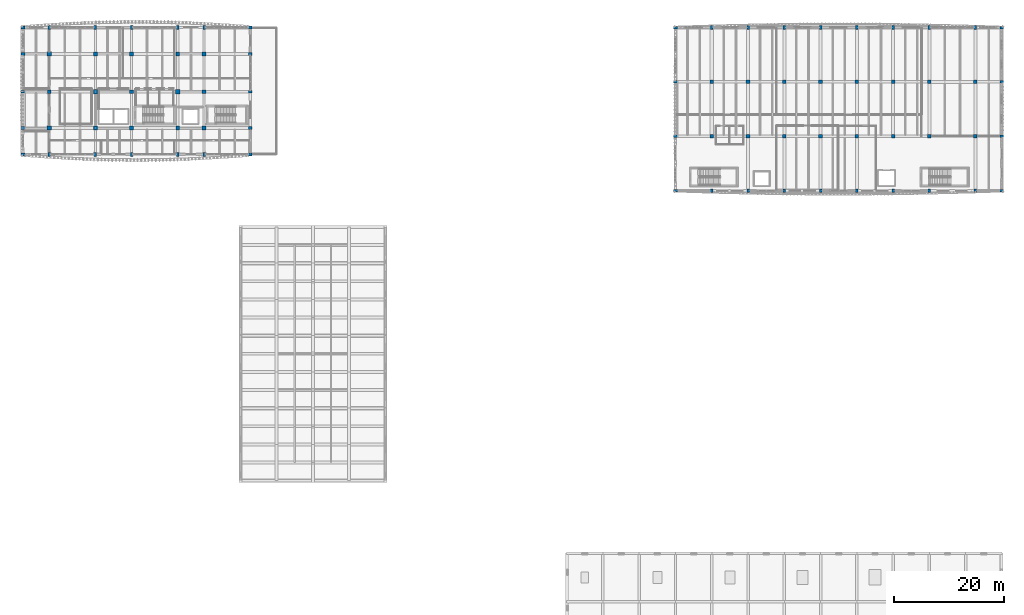
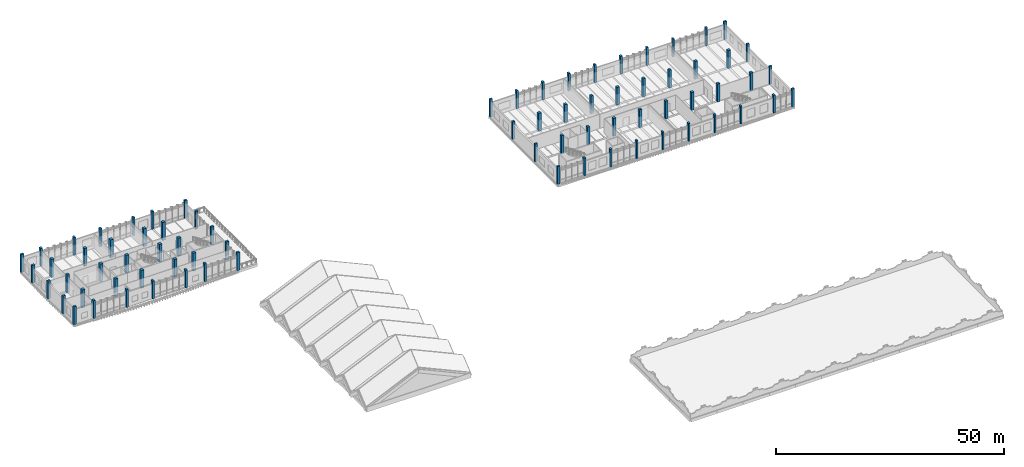
# One storey, part 1 of 50: 75 columns.
"""IFC4 building model written with IfcOpenShell, lengths in metres."""

from ifc_helpers import new_model, si_unit, direction, frame, origin, origin_2d, place, context, subcontext, project, spatial, rectangle, extrude, material, material_profile, profile_set, type_object, element, save


model = new_model("IFC4")

# Units and contexts
model_context = context("Model", 3, precision=1e-05, world=origin(), true_north=direction((0.0, 1.0)))
body_context = subcontext(model_context, "Body", "Model", "MODEL_VIEW")
ifc_project = project(units=[si_unit("LENGTHUNIT", "METRE"), si_unit("AREAUNIT", "SQUARE_METRE"), si_unit("VOLUMEUNIT", "CUBIC_METRE"), si_unit("PLANEANGLEUNIT", "RADIAN"), si_unit("MASSUNIT", "GRAM", prefix="KILO")], contexts=[model_context])

# Site, building, storey
site_placement = place(None, origin())
site = spatial("IfcSite", under=ifc_project, at=site_placement, CompositionType="ELEMENT")
building_placement = place(site_placement, origin())
building = spatial("IfcBuilding", under=site, at=building_placement, Name="Dornvale Research Institute", CompositionType="ELEMENT")
storey_placement = place(building_placement, frame((0.0, 0.0, 19.800048828125)))
storey = spatial("IfcBuildingStorey", under=building, at=storey_placement, Name="L04", CompositionType="ELEMENT", Elevation=19.800048828125)

# Columns
ifc_material_1 = material(Name="Concrete f'c 45 MPa (C35/45)", Category="concrete")
ifc_material_profile_1 = material_profile(ifc_material_1, rectangle(XDim=0.64990234375, YDim=0.64990234375, at=origin_2d()), Name="RC 650x650")
ifc_profile_set_1 = profile_set([ifc_material_profile_1], Name="Concrete f'c 45 MPa (C35/45)")
column_type_1 = type_object("IfcColumnType", Name="Column_RC650", PredefinedType="COLUMN", material=ifc_profile_set_1)
for number, where, z_axis, x_axis, name in (
    (1, (125.39990234375, 102.300048828125, 0.0), (0.0, 0.0, 1.0), (1.0, 0.0, 0.0), "L04 column #619"),
    (2, (125.39990234375, 112.199951171875, 0.0), (0.0, 0.0, 1.0), (1.0, 0.0, 0.0), "L04 column #620"),
    (3, (132.0, 102.300048828125, 0.0), (0.0, 0.0, 1.0), (1.0, 0.0, 0.0), "L04 column #623"),
    (4, (132.0, 112.199951171875, 0.0), (0.0, 0.0, 1.0), (1.0, 0.0, 0.0), "L04 column #624"),
    (5, (138.60009765625, 102.300048828125, 0.0), (0.0, 0.0, 1.0), (1.0, 0.0, 0.0), "L04 column #627"),
    (6, (138.60009765625, 112.199951171875, 0.0), (0.0, 0.0, 1.0), (1.0, 0.0, 0.0), "L04 column #628"),
    (7, (145.199951171875, 102.300048828125, 0.0), (0.0, 0.0, 1.0), (1.0, 0.0, 0.0), "L04 column #631"),
    (8, (145.199951171875, 112.199951171875, 0.0), (0.0, 0.0, 1.0), (1.0, 0.0, 0.0), "L04 column #632"),
    (9, (151.800048828125, 102.300048828125, 0.0), (0.0, 0.0, 1.0), (1.0, 0.0, 0.0), "L04 column #635"),
    (10, (151.800048828125, 112.199951171875, 0.0), (0.0, 0.0, 1.0), (1.0, 0.0, 0.0), "L04 column #636"),
    (11, (158.39990234375, 102.300048828125, 0.0), (0.0, 0.0, 1.0), (1.0, 0.0, 0.0), "L04 column #639"),
    (12, (158.39990234375, 112.199951171875, 0.0), (0.0, 0.0, 1.0), (1.0, 0.0, 0.0), "L04 column #640"),
    (13, (165.0, 102.300048828125, 0.0), (0.0, 0.0, 1.0), (1.0, 0.0, 0.0), "L04 column #643"),
    (14, (165.0, 112.199951171875, 0.0), (0.0, 0.0, 1.0), (1.0, 0.0, 0.0), "L04 column #644"),
    (15, (173.39990234375, 102.300048828125, 0.0), (0.0, 0.0, 1.0), (1.0, 0.0, 0.0), "L04 column #647"),
    (16, (173.39990234375, 112.199951171875, 0.0), (0.0, 0.0, 1.0), (1.0, 0.0, 0.0), "L04 column #648"),
):
    element("IfcColumn", number, at=place(storey_placement, frame(where, z_axis=z_axis, x_axis=x_axis)), inside=storey, type_object=column_type_1, Name=name, PredefinedType="COLUMN", context=body_context, shape_type="SweptSolid", body=[
        extrude(rectangle(XDim=0.64990234375, YDim=0.64990234375, at=origin_2d()), origin(), (0.0, 0.0, 1.0), 4.800048828125),
    ])
ifc_material_2 = material(Name="Concrete f'c 45 MPa (C35/45)", Category="concrete")
ifc_material_profile_2 = material_profile(ifc_material_2, rectangle(XDim=0.699951171875, YDim=0.699951171875, at=origin_2d()), Name="RC 700x700")
ifc_profile_set_2 = profile_set([ifc_material_profile_2], Name="Concrete f'c 45 MPa (C35/45)")
column_type_2 = type_object("IfcColumnType", Name="Column_RC700", PredefinedType="COLUMN", material=ifc_profile_set_2)
for number, where, z_axis, x_axis, name in (
    (17, (4.800048828125, 110.39990234375, 0.0), (0.0, 0.0, 1.0), (1.0, 0.0, 0.0), "L04 column #208"),
    (18, (13.199951171875, 103.800048828125, 0.0), (0.0, 0.0, 1.0), (1.0, 0.0, 0.0), "L04 column #212"),
    (19, (13.199951171875, 117.300048828125, 0.0), (0.0, 0.0, 1.0), (1.0, 0.0, 0.0), "L04 column #214"),
    (20, (19.800048828125, 110.39990234375, 0.0), (0.0, 0.0, 1.0), (1.0, 0.0, 0.0), "L04 column #218"),
    (21, (28.199951171875, 103.800048828125, 0.0), (0.0, 0.0, 1.0), (1.0, 0.0, 0.0), "L04 column #222"),
    (22, (28.199951171875, 117.300048828125, 0.0), (0.0, 0.0, 1.0), (1.0, 0.0, 0.0), "L04 column #224"),
    (23, (33.0, 110.39990234375, 0.0), (0.0, 0.0, 1.0), (1.0, 0.0, 0.0), "L04 column #228"),
):
    element("IfcColumn", number, at=place(storey_placement, frame(where, z_axis=z_axis, x_axis=x_axis)), inside=storey, type_object=column_type_2, Name=name, PredefinedType="COLUMN", context=body_context, shape_type="SweptSolid", body=[
        extrude(rectangle(XDim=0.699951171875, YDim=0.699951171875, at=origin_2d()), origin(), (0.0, 0.0, 1.0), 4.800048828125),
    ])
ifc_material_3 = material(Name="Concrete f'c 50 MPa (C40/50)", Category="concrete")
ifc_material_profile_3 = material_profile(ifc_material_3, rectangle(XDim=0.75, YDim=0.75, at=origin_2d()), Name="RC 750x750")
ifc_profile_set_3 = profile_set([ifc_material_profile_3], Name="Concrete f'c 50 MPa (C40/50)")
column_type_3 = type_object("IfcColumnType", Name="Column_RC750", PredefinedType="COLUMN", material=ifc_profile_set_3)
for number, where, z_axis, x_axis, name in (
    (24, (4.800048828125, 103.800048828125, 0.0), (0.0, 0.0, 1.0), (1.0, 0.0, 0.0), "L04 column #207"),
    (25, (4.800048828125, 117.300048828125, 0.0), (0.0, 0.0, 1.0), (1.0, 0.0, 0.0), "L04 column #209"),
    (26, (13.199951171875, 110.39990234375, 0.0), (0.0, 0.0, 1.0), (1.0, 0.0, 0.0), "L04 column #213"),
    (27, (19.800048828125, 103.800048828125, 0.0), (0.0, 0.0, 1.0), (1.0, 0.0, 0.0), "L04 column #217"),
    (28, (19.800048828125, 117.300048828125, 0.0), (0.0, 0.0, 1.0), (1.0, 0.0, 0.0), "L04 column #219"),
    (29, (28.199951171875, 110.39990234375, 0.0), (0.0, 0.0, 1.0), (1.0, 0.0, 0.0), "L04 column #223"),
    (30, (33.0, 103.800048828125, 0.0), (0.0, 0.0, 1.0), (1.0, 0.0, 0.0), "L04 column #227"),
    (31, (33.0, 117.300048828125, 0.0), (0.0, 0.0, 1.0), (1.0, 0.0, 0.0), "L04 column #229"),
):
    element("IfcColumn", number, at=place(storey_placement, frame(where, z_axis=z_axis, x_axis=x_axis)), inside=storey, type_object=column_type_3, Name=name, PredefinedType="COLUMN", context=body_context, shape_type="SweptSolid", body=[
        extrude(rectangle(XDim=0.75, YDim=0.75, at=origin_2d()), origin(), (0.0, 0.0, 1.0), 4.800048828125),
    ])
ifc_material_4 = material(Name="Concrete f'c 45 MPa (C35/45)", Category="concrete")
ifc_material_profile_4 = material_profile(ifc_material_4, rectangle(XDim=0.449951171875, YDim=0.64990234375, at=origin_2d()), Name="RC 450x650")
ifc_profile_set_4 = profile_set([ifc_material_profile_4], Name="Concrete f'c 45 MPa (C35/45)")
column_type_4 = type_object("IfcColumnType", Name="Pilaster_RC450x650_Ext", PredefinedType="PILASTER", material=ifc_profile_set_4)
for number, where, z_axis, x_axis, name in (
    (32, (118.800048828125, 92.39990234375, 0.0), (0.0, 0.0, 1.0), (0.0, 1.0, 0.0), "L04 column #614"),
    (33, (118.800048828125, 102.300048828125, 0.0), (0.0, 0.0, 1.0), (0.0, 1.0, 0.0), "L04 column #615"),
    (34, (118.800048828125, 112.199951171875, 0.0), (0.0, 0.0, 1.0), (0.0, 1.0, 0.0), "L04 column #616"),
    (35, (118.800048828125, 122.10009765625, 0.0), (0.0, 0.0, 1.0), (0.0, 1.0, 0.0), "L04 column #617"),
    (36, (125.39990234375, 92.39990234375, 0.0), (0.0, 0.0, 1.0), (1.0, 0.0, 0.0), "L04 column #618"),
    (37, (125.39990234375, 122.10009765625, 0.0), (0.0, 0.0, 1.0), (1.0, 0.0, 0.0), "L04 column #621"),
    (38, (132.0, 92.39990234375, 0.0), (0.0, 0.0, 1.0), (1.0, 0.0, 0.0), "L04 column #622"),
    (39, (132.0, 122.10009765625, 0.0), (0.0, 0.0, 1.0), (1.0, 0.0, 0.0), "L04 column #625"),
    (40, (138.60009765625, 92.39990234375, 0.0), (0.0, 0.0, 1.0), (1.0, 0.0, 0.0), "L04 column #626"),
    (41, (138.60009765625, 122.10009765625, 0.0), (0.0, 0.0, 1.0), (1.0, 0.0, 0.0), "L04 column #629"),
    (42, (145.199951171875, 92.39990234375, 0.0), (0.0, 0.0, 1.0), (1.0, 0.0, 0.0), "L04 column #630"),
    (43, (145.199951171875, 122.10009765625, 0.0), (0.0, 0.0, 1.0), (1.0, 0.0, 0.0), "L04 column #633"),
    (44, (151.800048828125, 92.39990234375, 0.0), (0.0, 0.0, 1.0), (1.0, 0.0, 0.0), "L04 column #634"),
    (45, (151.800048828125, 122.10009765625, 0.0), (0.0, 0.0, 1.0), (1.0, 0.0, 0.0), "L04 column #637"),
    (46, (158.39990234375, 92.39990234375, 0.0), (0.0, 0.0, 1.0), (1.0, 0.0, 0.0), "L04 column #638"),
    (47, (158.39990234375, 122.10009765625, 0.0), (0.0, 0.0, 1.0), (1.0, 0.0, 0.0), "L04 column #641"),
    (48, (165.0, 92.39990234375, 0.0), (0.0, 0.0, 1.0), (1.0, 0.0, 0.0), "L04 column #642"),
    (49, (165.0, 122.10009765625, 0.0), (0.0, 0.0, 1.0), (1.0, 0.0, 0.0), "L04 column #645"),
    (50, (173.39990234375, 92.39990234375, 0.0), (0.0, 0.0, 1.0), (1.0, 0.0, 0.0), "L04 column #646"),
    (51, (173.39990234375, 122.10009765625, 0.0), (0.0, 0.0, 1.0), (1.0, 0.0, 0.0), "L04 column #649"),
    (52, (178.199951171875, 92.39990234375, 0.0), (0.0, 0.0, 1.0), (0.0, 1.0, 0.0), "L04 column #650"),
    (53, (178.199951171875, 102.300048828125, 0.0), (0.0, 0.0, 1.0), (0.0, 1.0, 0.0), "L04 column #651"),
    (54, (178.199951171875, 112.199951171875, 0.0), (0.0, 0.0, 1.0), (0.0, 1.0, 0.0), "L04 column #652"),
    (55, (178.199951171875, 122.10009765625, 0.0), (0.0, 0.0, 1.0), (0.0, 1.0, 0.0), "L04 column #653"),
):
    element("IfcColumn", number, at=place(storey_placement, frame(where, z_axis=z_axis, x_axis=x_axis)), inside=storey, type_object=column_type_4, Name=name, PredefinedType="PILASTER", context=body_context, shape_type="SweptSolid", body=[
        extrude(rectangle(XDim=0.449951171875, YDim=0.64990234375, at=origin_2d()), origin(), (0.0, 0.0, 1.0), 4.800048828125),
    ])
ifc_material_5 = material(Name="Concrete f'c 50 MPa (C40/50)", Category="concrete")
ifc_material_profile_5 = material_profile(ifc_material_5, rectangle(XDim=0.5, YDim=0.699951171875, at=origin_2d()), Name="RC 500x700")
ifc_profile_set_5 = profile_set([ifc_material_profile_5], Name="Concrete f'c 50 MPa (C40/50)")
column_type_5 = type_object("IfcColumnType", Name="Pilaster_RC500x700_Ext", PredefinedType="PILASTER", material=ifc_profile_set_5)
for number, where, z_axis, x_axis, name in (
    (56, (0.0, 99.0, 0.0), (0.0, 0.0, 1.0), (0.0, 1.0, 0.0), "L04 column #201"),
    (57, (0.0, 103.800048828125, 0.0), (0.0, 0.0, 1.0), (0.0, 1.0, 0.0), "L04 column #202"),
    (58, (0.0, 110.39990234375, 0.0), (0.0, 0.0, 1.0), (0.0, 1.0, 0.0), "L04 column #203"),
    (59, (0.0, 117.300048828125, 0.0), (0.0, 0.0, 1.0), (0.0, 1.0, 0.0), "L04 column #204"),
    (60, (0.0, 122.10009765625, 0.0), (0.0, 0.0, 1.0), (0.0, 1.0, 0.0), "L04 column #205"),
    (61, (4.800048828125, 99.0, 0.0), (0.0, 0.0, 1.0), (1.0, 0.0, 0.0), "L04 column #206"),
    (62, (4.800048828125, 122.10009765625, 0.0), (0.0, 0.0, 1.0), (1.0, 0.0, 0.0), "L04 column #210"),
    (63, (13.199951171875, 99.0, 0.0), (0.0, 0.0, 1.0), (1.0, 0.0, 0.0), "L04 column #211"),
    (64, (13.199951171875, 122.10009765625, 0.0), (0.0, 0.0, 1.0), (1.0, 0.0, 0.0), "L04 column #215"),
    (65, (19.800048828125, 99.0, 0.0), (0.0, 0.0, 1.0), (1.0, 0.0, 0.0), "L04 column #216"),
    (66, (19.800048828125, 122.10009765625, 0.0), (0.0, 0.0, 1.0), (1.0, 0.0, 0.0), "L04 column #220"),
    (67, (28.199951171875, 99.0, 0.0), (0.0, 0.0, 1.0), (1.0, 0.0, 0.0), "L04 column #221"),
    (68, (28.199951171875, 122.10009765625, 0.0), (0.0, 0.0, 1.0), (1.0, 0.0, 0.0), "L04 column #225"),
    (69, (33.0, 99.0, 0.0), (0.0, 0.0, 1.0), (1.0, 0.0, 0.0), "L04 column #226"),
    (70, (33.0, 122.10009765625, 0.0), (0.0, 0.0, 1.0), (1.0, 0.0, 0.0), "L04 column #230"),
    (71, (41.39990234375, 99.0, 0.0), (0.0, 0.0, 1.0), (0.0, 1.0, 0.0), "L04 column #231"),
    (72, (41.39990234375, 103.800048828125, 0.0), (0.0, 0.0, 1.0), (0.0, 1.0, 0.0), "L04 column #232"),
    (73, (41.39990234375, 110.39990234375, 0.0), (0.0, 0.0, 1.0), (0.0, 1.0, 0.0), "L04 column #233"),
    (74, (41.39990234375, 117.300048828125, 0.0), (0.0, 0.0, 1.0), (0.0, 1.0, 0.0), "L04 column #234"),
    (75, (41.39990234375, 122.10009765625, 0.0), (0.0, 0.0, 1.0), (0.0, 1.0, 0.0), "L04 column #235"),
):
    element("IfcColumn", number, at=place(storey_placement, frame(where, z_axis=z_axis, x_axis=x_axis)), inside=storey, type_object=column_type_5, Name=name, PredefinedType="PILASTER", context=body_context, shape_type="SweptSolid", body=[
        extrude(rectangle(XDim=0.5, YDim=0.699951171875, at=origin_2d()), origin(), (0.0, 0.0, 1.0), 4.800048828125),
    ])

save(model, "model.ifc")
